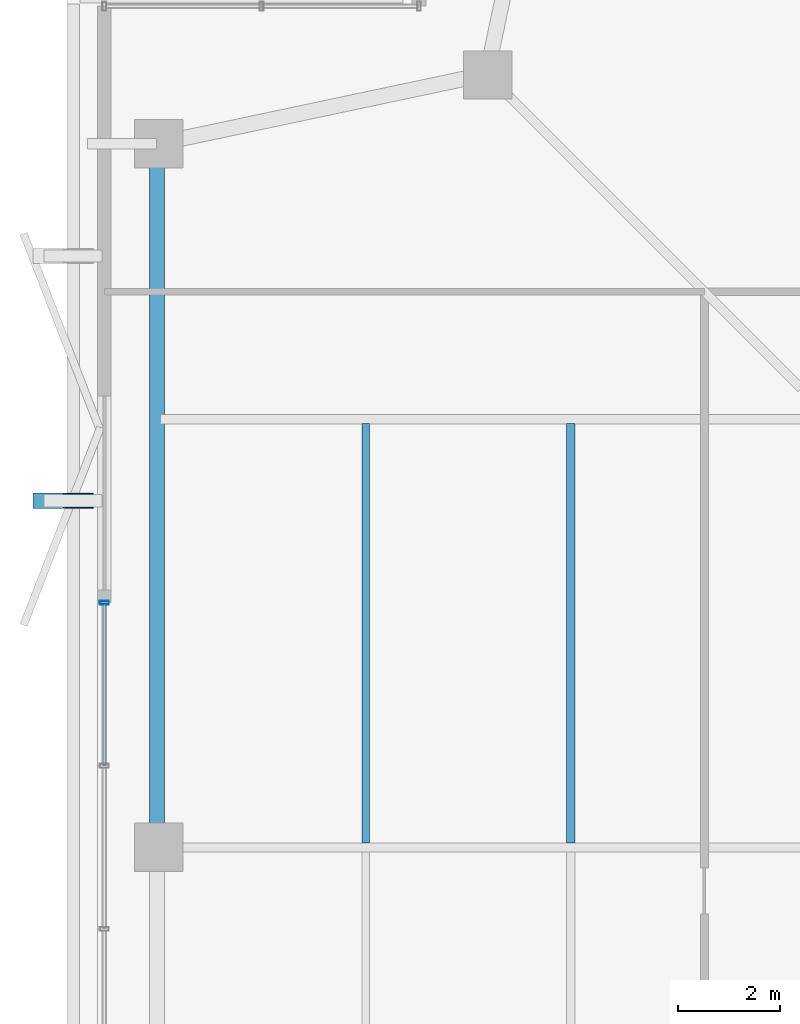
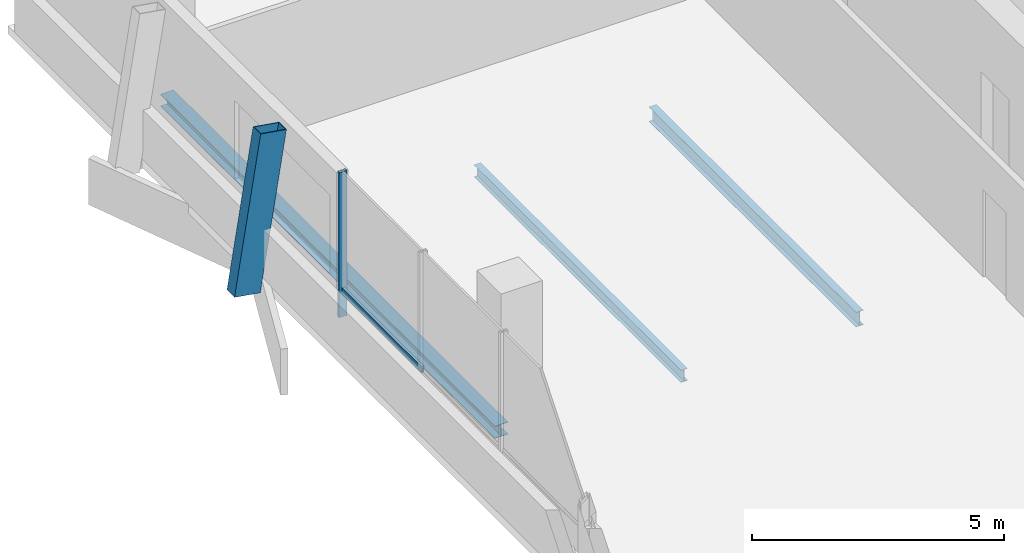
# One storey, part 7 of 26: 3 beams, 3 members, 1 element without a shape of its own.
"""IFC4 building model written with IfcOpenShell, lengths in metres."""

import ifcopenshell
import ifcopenshell.guid

model = None  # the IFC model being written
_history = None  # IfcOwnerHistory: only IFC2X3 demands one
_inside = {}  # id of a spatial element -> (the spatial element, [elements in it])
_under = {}  # id of a project, library or spatial element -> (it, [spatial elements below it])
_declared = {}  # id of a project -> (the project, [libraries it declares])
_typed = {}  # id of a type object -> (the type object, [elements of that type])
_made_of = {}  # id of a material, layer set ... -> (it, [elements and type objects made of it])


def new_model(schema):
    """Start an empty IFC model of exactly this schema.

    Asked for "IFC4X3", IfcOpenShell would pick the latest addendum, in which some entities
    have other attributes; the version numbers below select the first issue.
    IFC2X3 requires an IfcOwnerHistory on every rooted entity: one is made here for all.
    """
    global model, _history
    if schema == "IFC4X3":
        model = ifcopenshell.file(schema_version=(4, 3, 0, 0))
    else:
        model = ifcopenshell.file(schema=schema)
    _inside.clear()
    _under.clear()
    _declared.clear()
    _typed.clear()
    _made_of.clear()
    _history = None
    if model.schema == "IFC2X3":
        org = make("IfcOrganization", Name="unknown")
        user = make(
            "IfcPersonAndOrganization",
            ThePerson=make("IfcPerson", FamilyName="unknown"),
            TheOrganization=org,
        )
        app = make(
            "IfcApplication",
            ApplicationDeveloper=org,
            Version="unknown",
            ApplicationFullName="unknown",
            ApplicationIdentifier="unknown",
        )
        _history = make(
            "IfcOwnerHistory",
            OwningUser=user,
            OwningApplication=app,
            ChangeAction="ADDED",
            CreationDate=0,
        )
    return model


def make(cls, **values):
    """One entity of the class cls with the attributes given. An attribute that is None is left unset."""
    return model.create_entity(
        cls, **{name: value for name, value in values.items() if value is not None}
    )


def rooted(cls, **values):
    """An entity with a GlobalId (a new one), such as an element, a storey or a relation."""
    return make(cls, GlobalId=ifcopenshell.guid.new(), OwnerHistory=_history, **values)


def si_unit(unit_type, name, prefix=None):
    """IfcSIUnit, for example si_unit("LENGTHUNIT", "METRE", prefix="MILLI")."""
    return make("IfcSIUnit", UnitType=unit_type, Prefix=prefix, Name=name)


def assignment(units):
    """IfcUnitAssignment: the units of a project."""
    return None if units is None else make("IfcUnitAssignment", Units=units)


def point(xyz):
    """IfcCartesianPoint."""
    return None if xyz is None else make("IfcCartesianPoint", Coordinates=xyz)


def direction(xyz):
    """IfcDirection."""
    return None if xyz is None else make("IfcDirection", DirectionRatios=xyz)


def frame(location, z_axis=None, x_axis=None):
    """IfcAxis2Placement3D, a coordinate frame: its origin and axes. An axis left out is left unset."""
    return make(
        "IfcAxis2Placement3D",
        Location=point(location),
        Axis=direction(z_axis),
        RefDirection=direction(x_axis),
    )


def frame_2d(location, x_axis=None):
    """IfcAxis2Placement2D, a coordinate frame in the plane: its origin and x axis."""
    return make(
        "IfcAxis2Placement2D", Location=point(location), RefDirection=direction(x_axis)
    )


def origin():
    """The frame at (0, 0, 0) with its axes left unset."""
    return frame((0.0, 0.0, 0.0))


def origin_2d():
    """The frame at (0, 0) in the plane with its x axis left unset."""
    return frame_2d((0.0, 0.0))


def place(relative_to, where):
    """IfcLocalPlacement: puts the frame where relative to a parent placement (None: the world)."""
    return make(
        "IfcLocalPlacement", PlacementRelTo=relative_to, RelativePlacement=where
    )


def context(
    kind, dimensions, precision=None, world=None, true_north=None, identifier=None
):
    """IfcGeometricRepresentationContext, for example the 3D "Model" context."""
    return make(
        "IfcGeometricRepresentationContext",
        ContextIdentifier=identifier,
        ContextType=kind,
        CoordinateSpaceDimension=dimensions,
        Precision=precision,
        WorldCoordinateSystem=world,
        TrueNorth=true_north,
    )


def subcontext(parent, identifier, kind, view, scale=None):
    """IfcGeometricRepresentationSubContext, for example "Body" below "Model"."""
    return make(
        "IfcGeometricRepresentationSubContext",
        ContextIdentifier=identifier,
        ContextType=kind,
        ParentContext=parent,
        TargetScale=scale,
        TargetView=view,
    )


def project(units=None, contexts=None):
    """IfcProject with its units and contexts."""
    return rooted(
        "IfcProject",
        Name="project",
        RepresentationContexts=contexts,
        UnitsInContext=assignment(units),
    )


def spatial(cls, under=None, at=None, **own):
    """A site, building, storey or space (cls), placed at a placement, below another one or the project."""
    s = rooted(cls, ObjectPlacement=at, **own)
    if under is not None:
        _under.setdefault(under.id(), (under, []))[1].append(s)
    return s


def profile(cls, at=None, kind="AREA", **sizes):
    """A parametric profile (cls). Its sizes go by their IFC names, for example OverallWidth=200.0."""
    return make(cls, ProfileType=kind, Position=at, **sizes)


def hollow_rectangle(**sizes):
    """IfcRectangleHollowProfileDef."""
    return profile("IfcRectangleHollowProfileDef", **sizes)


def i_section(**sizes):
    """IfcIShapeProfileDef."""
    return profile("IfcIShapeProfileDef", **sizes)


def extrude(swept, where, along, depth):
    """IfcExtrudedAreaSolid: the profile swept, set in the frame where, extruded along a direction by depth."""
    return make(
        "IfcExtrudedAreaSolid",
        SweptArea=swept,
        Position=where,
        ExtrudedDirection=direction(along),
        Depth=depth,
    )


def shape(context_of_items, identifier, shape_type, items):
    """IfcShapeRepresentation: the items that make up one representation, for example the "Body"."""
    return make(
        "IfcShapeRepresentation",
        ContextOfItems=context_of_items,
        RepresentationIdentifier=identifier,
        RepresentationType=shape_type,
        Items=items,
    )


def material(Name=None, Category=None):
    """IfcMaterial."""
    return make("IfcMaterial", Name=Name, Category=Category)


def layer(
    of_material, thickness, ventilated=None, Name=None, Category=None, Priority=None
):
    """IfcMaterialLayer: one layer of a wall or slab, of a material (None: an air gap)."""
    return make(
        "IfcMaterialLayer",
        Material=of_material,
        LayerThickness=thickness,
        IsVentilated=ventilated,
        Name=Name,
        Category=Category,
        Priority=Priority,
    )


def layer_set(layers, Name=None):
    """IfcMaterialLayerSet."""
    return make("IfcMaterialLayerSet", MaterialLayers=layers, LayerSetName=Name)


def material_profile(
    of_material, cross_section, Name=None, Category=None, Priority=None
):
    """IfcMaterialProfile: a cross section and its material."""
    return make(
        "IfcMaterialProfile",
        Name=Name,
        Material=of_material,
        Profile=cross_section,
        Priority=Priority,
        Category=Category,
    )


def profile_set(profiles, Name=None, composite=None):
    """IfcMaterialProfileSet."""
    return make(
        "IfcMaterialProfileSet",
        Name=Name,
        MaterialProfiles=profiles,
        CompositeProfile=composite,
    )


def made_of(thing, what):
    """Note that an element or type object is made of a material, layer set ...; save() writes the relation."""
    if what is not None:
        _made_of.setdefault(what.id(), (what, []))[1].append(thing)
    return thing


def type_object(cls, material=None, **own):
    """A type object (cls), such as IfcWallType, which elements share."""
    return made_of(rooted(cls, **own), material)


def element(
    cls,
    number,
    at=None,
    inside=None,
    cuts=None,
    type_object=None,
    material=None,
    context=None,
    identifier="Body",
    shape_type=None,
    held_by="IfcProductDefinitionShape",
    body=None,
    shapes=None,
    **own,
):
    """One element of the class cls, such as IfcWall. Its Tag is "e" and its number.

    at: its placement. inside: the storey or other place that contains it. cuts: it is an
    opening in that element (IfcRelVoidsElement). A single representation is given by context,
    identifier, shape_type and body (its items); several are given by shapes. held_by: the class
    of the entity that holds the representations. save() writes the other relations.
    """
    e = rooted(cls, Tag="e%d" % number, ObjectPlacement=at, **own)
    if body is not None:
        shapes = [shape(context, identifier, shape_type, body)]
    if shapes is not None:
        e.Representation = make(held_by, Representations=shapes)
    if inside is not None:
        _inside.setdefault(inside.id(), (inside, []))[1].append(e)
    if cuts is not None:
        rooted(
            "IfcRelVoidsElement", RelatingBuildingElement=cuts, RelatedOpeningElement=e
        )
    if type_object is not None:
        _typed.setdefault(type_object.id(), (type_object, []))[1].append(e)
    return made_of(e, material)


def aggregate(whole, parts):
    """IfcRelAggregates: a whole, such as a stair, and the parts it consists of."""
    return rooted("IfcRelAggregates", RelatingObject=whole, RelatedObjects=parts)


def save(model, path):
    """Write the relations noted so far, then the file.

    IfcRelAggregates (storeys below a building ...), IfcRelContainedInSpatialStructure (elements
    in a storey), IfcRelDefinesByType, IfcRelAssociatesMaterial and IfcRelDeclares: one each for
    every whole, place, type object, material and project.
    """
    for whole, parts in _under.values():
        aggregate(whole, parts)
    for where, things in _inside.values():
        rooted(
            "IfcRelContainedInSpatialStructure",
            RelatedElements=things,
            RelatingStructure=where,
        )
    for kind, things in _typed.values():
        rooted("IfcRelDefinesByType", RelatedObjects=things, RelatingType=kind)
    for what, things in _made_of.values():
        rooted("IfcRelAssociatesMaterial", RelatedObjects=things, RelatingMaterial=what)
    for by, libraries in _declared.values():
        rooted("IfcRelDeclares", RelatingContext=by, RelatedDefinitions=libraries)
    model.write(path)


model = new_model("IFC4")

# Units and contexts
model_context = context("Model", 3, precision=1e-05, world=origin(), true_north=direction((0.0, 1.0)))
body_context = subcontext(model_context, "Body", "Model", "MODEL_VIEW")
ifc_project = project(units=[si_unit("LENGTHUNIT", "METRE"), si_unit("AREAUNIT", "SQUARE_METRE"), si_unit("VOLUMEUNIT", "CUBIC_METRE"), si_unit("PLANEANGLEUNIT", "RADIAN"), si_unit("MASSUNIT", "GRAM", prefix="KILO")], contexts=[model_context])

# Site, building, storey
site_placement = place(None, origin())
site = spatial("IfcSite", under=ifc_project, at=site_placement, CompositionType="ELEMENT")
building_placement = place(site_placement, origin())
building = spatial("IfcBuilding", under=site, at=building_placement, Name="Belovzor Exchange Tower", CompositionType="ELEMENT")
storey_placement = place(building_placement, frame((0.0, 0.0, 295.5)))
storey = spatial("IfcBuildingStorey", under=building, at=storey_placement, Name="L73", CompositionType="ELEMENT", Elevation=295.5)

# Beams
ifc_material_1 = material(Name="Steel S355", Category="steel")
ifc_material_profile_1 = material_profile(ifc_material_1, i_section(OverallWidth=0.169921875, OverallDepth=0.360107421875, WebThickness=0.008056640625, FlangeThickness=0.0126953125, at=origin_2d()))
ifc_profile_set_1 = profile_set([ifc_material_profile_1], Name="Steel S355")
beam_type_1 = type_object("IfcBeamType", Name="Secondary Infill Floor Joist IPE 360", PredefinedType="BEAM", material=ifc_profile_set_1)
beam_1_placement = place(storey_placement, frame((15.277099609375, 28.889892578125, -0.419921875), z_axis=(0.0, 1.0, 0.0), x_axis=(-1.0, 0.0, 0.0)))
element("IfcBeam", 1, at=beam_1_placement, inside=storey, type_object=beam_type_1, Name="FJ-360 Secondary Infill Floor Joist IPE 360", PredefinedType="BEAM", context=body_context, shape_type="SweptSolid", body=[
    extrude(i_section(OverallWidth=0.169921875, OverallDepth=0.360107421875, WebThickness=0.008056640625, FlangeThickness=0.0126953125, at=origin_2d()), origin(), (0.0, 0.0, 1.0), 8.22021484375),
])
ifc_material_2 = material(Name="Steel S355", Category="steel")
ifc_material_profile_2 = material_profile(ifc_material_2, i_section(OverallWidth=0.14990234375, OverallDepth=0.300048828125, WebThickness=0.007080078125, FlangeThickness=0.0107421875, at=origin_2d()))
ifc_profile_set_2 = profile_set([ifc_material_profile_2], Name="Steel S355")
beam_type_2 = type_object("IfcBeamType", Name="Secondary Trim Floor Joist IPE 300", PredefinedType="BEAM", material=ifc_profile_set_2)
beam_2_placement = place(storey_placement, frame((11.256103515625, 28.889892578125, -0.389892578125), z_axis=(0.0, 1.0, 0.0), x_axis=(-1.0, 0.0, 0.0)))
element("IfcBeam", 2, at=beam_2_placement, inside=storey, type_object=beam_type_2, Name="FJ-300 Secondary Trim Floor Joist IPE 300", PredefinedType="BEAM", context=body_context, shape_type="SweptSolid", body=[
    extrude(i_section(OverallWidth=0.14990234375, OverallDepth=0.300048828125, WebThickness=0.007080078125, FlangeThickness=0.0107421875, at=origin_2d()), origin(), (0.0, 0.0, 1.0), 8.22021484375),
])

# Curtain wall, members
ifc_material_3 = material(Name="Anodised Aluminium Framing", Category="aluminium")
ifc_layer = layer(ifc_material_3, 0.179931640625)
ifc_layer_set = layer_set([ifc_layer], Name="Anodised Aluminium Framing")
curtain_wall_type = type_object("IfcCurtainWallType", Name="Recessed Loggia Low-Iron Triple-Glazed Curtain Wall", PredefinedType="NOTDEFINED", material=ifc_layer_set)
curtain_wall_placement = place(storey_placement, origin())
curtain_wall = element("IfcCurtainWall", 3, at=curtain_wall_placement, inside=storey, type_object=curtain_wall_type, Name="CW3 Recessed Loggia Low-Iron Triple-Glazed Curtain Wall L73", PredefinedType="NOTDEFINED")
ifc_material_4 = material(Name="Steel S355", Category="steel")
ifc_material_profile_3 = material_profile(ifc_material_4, hollow_rectangle(XDim=0.074951171875, YDim=0.179931640625, WallThickness=0.0048828125, at=origin_2d()))
ifc_profile_set_3 = profile_set([ifc_material_profile_3], Name="Steel S355")
member_type_1 = type_object("IfcMemberType", Name="Thermally Broken Curtain Wall Mullion 180x75", PredefinedType="MULLION", material=ifc_profile_set_3)
member_1_placement = place(storey_placement, frame((6.1298828125, 33.60009765625, 0.0), z_axis=(0.0, 0.0, 1.0), x_axis=(0.0, 1.0, 0.0)))
member_1 = element("IfcMember", 4, at=member_1_placement, type_object=member_type_1, Name="CW-M180 Curtain Wall Mullion 4", PredefinedType="MULLION", context=body_context, shape_type="SweptSolid", body=[
    extrude(hollow_rectangle(XDim=0.074951171875, YDim=0.179931640625, WallThickness=0.0048828125, at=origin_2d()), origin(), (0.0, 0.0, 1.0), 3.510009765625),
])
ifc_material_5 = material(Name="Steel S355", Category="steel")
ifc_material_profile_4 = material_profile(ifc_material_5, hollow_rectangle(XDim=0.06005859375, YDim=0.14990234375, WallThickness=0.00390625, at=origin_2d()))
ifc_profile_set_4 = profile_set([ifc_material_profile_4], Name="Steel S355")
member_type_2 = type_object("IfcMemberType", Name="Thermally Broken Curtain Wall Transom 150x60", PredefinedType="USERDEFINED", material=ifc_profile_set_4)
member_2_placement = place(storey_placement, frame((6.1298828125, 30.407958984375, 0.632080078125), z_axis=(0.0, 1.0, 0.0), x_axis=(-1.0, 0.0, 0.0)))
member_2 = element("IfcMember", 5, at=member_2_placement, type_object=member_type_2, Name="CW-T150 Curtain Wall Transom 3", ObjectType="TRANSOM", PredefinedType="USERDEFINED", context=body_context, shape_type="SweptSolid", body=[
    extrude(hollow_rectangle(XDim=0.06005859375, YDim=0.14990234375, WallThickness=0.00390625, at=origin_2d()), origin(), (0.0, 0.0, 1.0), 3.18408203125),
])
aggregate(curtain_wall, [member_1, member_2])

# Member
ifc_material_6 = material(Name="Extruded Architectural Terracotta on Steel S355 Carrier", Category="masonry")
ifc_material_profile_5 = material_profile(ifc_material_6, hollow_rectangle(XDim=0.300048828125, YDim=0.60009765625, WallThickness=0.01611328125, at=origin_2d()))
ifc_profile_set_5 = profile_set([ifc_material_profile_5], Name="Extruded Architectural Terracotta on Steel S355 Carrier")
member_type_3 = type_object("IfcMemberType", Name="Upper Crown Terracotta Fin Assembly 550", PredefinedType="USERDEFINED", material=ifc_profile_set_5)
member_3_placement = place(storey_placement, frame((5.02490234375, 35.60009765625, -0.239990234375), z_axis=(0.158015573692, 0.0, 0.987436619977), x_axis=(0.0, 1.0, 0.0)))
element("IfcMember", 6, at=member_3_placement, inside=storey, type_object=member_type_3, Name="FIN-TC055 Terracotta Facade Fin L73 W3", ObjectType="FIN", PredefinedType="USERDEFINED", context=body_context, shape_type="SweptSolid", body=[
    extrude(hollow_rectangle(XDim=0.300048828125, YDim=0.60009765625, WallThickness=0.01611328125, at=origin_2d()), origin(), (0.0, 0.0, 1.0), 3.797607421875),
])

# Beam
ifc_material_7 = material(Name="Steel S355", Category="steel")
ifc_material_profile_6 = material_profile(ifc_material_7, i_section(OverallWidth=0.300048828125, OverallDepth=0.300048828125, WebThickness=0.008544921875, FlangeThickness=0.013916015625, at=origin_2d()))
ifc_profile_set_6 = profile_set([ifc_material_profile_6], Name="Steel S355")
beam_type_3 = type_object("IfcBeamType", Name="Zone 6 Primary Girder HEA 300", PredefinedType="BEAM", material=ifc_profile_set_6)
beam_3_placement = place(storey_placement, frame((7.160888671875, 42.339111328125, -0.389892578125), z_axis=(0.0, -1.0, 0.0), x_axis=(1.0, 0.0, 0.0)))
element("IfcBeam", 7, at=beam_3_placement, inside=storey, type_object=beam_type_3, Name="FG-Z6 Zone 6 Primary Girder HEA 300", PredefinedType="BEAM", context=body_context, shape_type="SweptSolid", body=[
    extrude(i_section(OverallWidth=0.300048828125, OverallDepth=0.300048828125, WebThickness=0.008544921875, FlangeThickness=0.013916015625, at=origin_2d()), origin(), (0.0, 0.0, 1.0), 13.278076171875),
])

save(model, "model.ifc")
